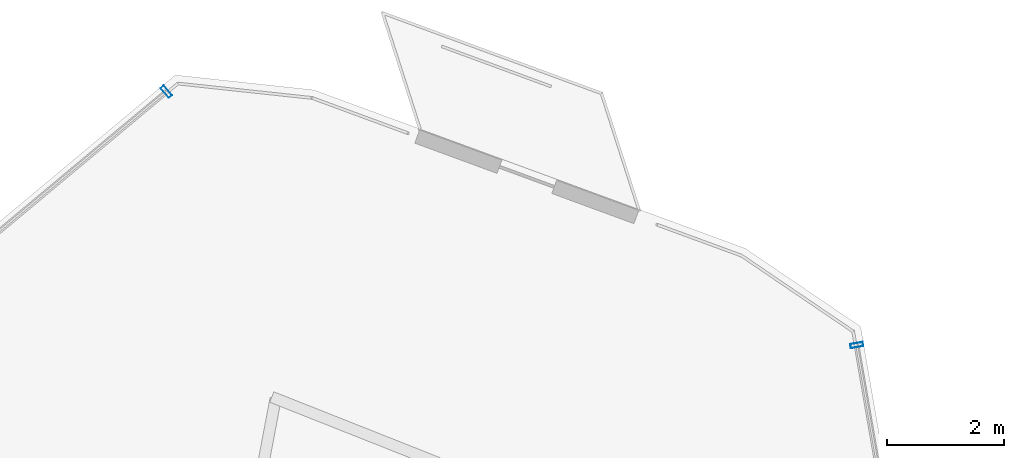
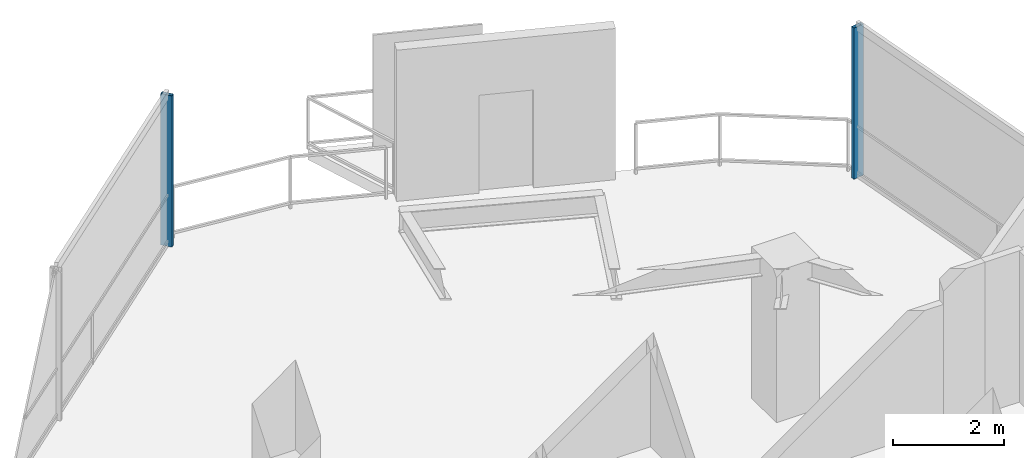
# One storey, part 13 of 18: 2 members, 2 elements without a shape of their own.
"""IFC4 building model written with IfcOpenShell, lengths in metres."""

from ifc_helpers import new_model, si_unit, direction, frame, origin, origin_2d, place, context, subcontext, project, spatial, hollow_rectangle, extrude, material, layer, layer_set, material_profile, profile_set, type_object, element, aggregate, save


model = new_model("IFC4")

# Units and contexts
model_context = context("Model", 3, precision=1e-05, world=origin(), true_north=direction((0.0, 1.0)))
body_context = subcontext(model_context, "Body", "Model", "MODEL_VIEW")
ifc_project = project(units=[si_unit("LENGTHUNIT", "METRE"), si_unit("AREAUNIT", "SQUARE_METRE"), si_unit("VOLUMEUNIT", "CUBIC_METRE"), si_unit("PLANEANGLEUNIT", "RADIAN"), si_unit("MASSUNIT", "GRAM", prefix="KILO")], contexts=[model_context])

# Site, building, storey
site_placement = place(None, origin())
site = spatial("IfcSite", under=ifc_project, at=site_placement, CompositionType="ELEMENT")
building_placement = place(site_placement, origin())
building = spatial("IfcBuilding", under=site, at=building_placement, Name="Qarnah Convention Tower", CompositionType="ELEMENT")
storey_placement = place(building_placement, frame((0.0, 0.0, 216.60009765625)))
storey = spatial("IfcBuildingStorey", under=building, at=storey_placement, Name="L58", CompositionType="ELEMENT", Elevation=216.60009765625)

# Curtain wall, member
ifc_material_1 = material(Name="Tempered Low-E dark glass", Category="glass")
ifc_layer = layer(ifc_material_1, 0.174072265625)
ifc_layer_set = layer_set([ifc_layer], Name="Tempered Low-E dark glass")
curtain_wall_type = type_object("IfcCurtainWallType", Name="CWS-04", PredefinedType="NOTDEFINED", material=ifc_layer_set)
curtain_wall_1_placement = place(storey_placement, origin())
curtain_wall_1 = element("IfcCurtainWall", 1, at=curtain_wall_1_placement, inside=storey, type_object=curtain_wall_type, Name="L58 unitised curtain wall CW-L58-F2", PredefinedType="NOTDEFINED")
ifc_material_2 = material(Name="Black anodised aluminium", Category="aluminium")
ifc_material_profile = material_profile(ifc_material_2, hollow_rectangle(XDim=0.074951171875, YDim=0.219970703125, WallThickness=0.0048828125, at=origin_2d()), Name="MUL-75X220")
ifc_profile_set = profile_set([ifc_material_profile], Name="Black anodised aluminium")
member_type = type_object("IfcMemberType", Name="MUL-T4", PredefinedType="MULLION", material=ifc_profile_set)
member_1_placement = place(storey_placement, frame((38.364013671875, 47.70703125, 0.0), z_axis=(0.0, 0.0, 1.0), x_axis=(0.767845724815, 0.64063479681, 0.0)))
member_1 = element("IfcMember", 2, at=member_1_placement, type_object=member_type, Name="CW-L58-F2 mullion 6", PredefinedType="MULLION", context=body_context, shape_type="SweptSolid", body=[
    extrude(hollow_rectangle(XDim=0.074951171875, YDim=0.219970703125, WallThickness=0.0048828125, at=origin_2d()), origin(), (0.0, 0.0, 1.0), 3.31982421875),
])
aggregate(curtain_wall_1, [member_1])

curtain_wall_2_placement = place(storey_placement, origin())
curtain_wall_2 = element("IfcCurtainWall", 3, at=curtain_wall_2_placement, inside=storey, type_object=curtain_wall_type, Name="L58 unitised curtain wall CW-L58-F3", PredefinedType="NOTDEFINED")
member_2_placement = place(storey_placement, frame((50.194091796875, 43.363037109375, 0.0), z_axis=(0.0, 0.0, 1.0), x_axis=(0.17088479705, -0.985291015963, 0.0)))
member_2 = element("IfcMember", 4, at=member_2_placement, type_object=member_type, Name="CW-L58-F3 mullion 1", PredefinedType="MULLION", context=body_context, shape_type="SweptSolid", body=[
    extrude(hollow_rectangle(XDim=0.074951171875, YDim=0.219970703125, WallThickness=0.0048828125, at=origin_2d()), origin(), (0.0, 0.0, 1.0), 3.31982421875),
])
aggregate(curtain_wall_2, [member_2])

save(model, "model.ifc")
